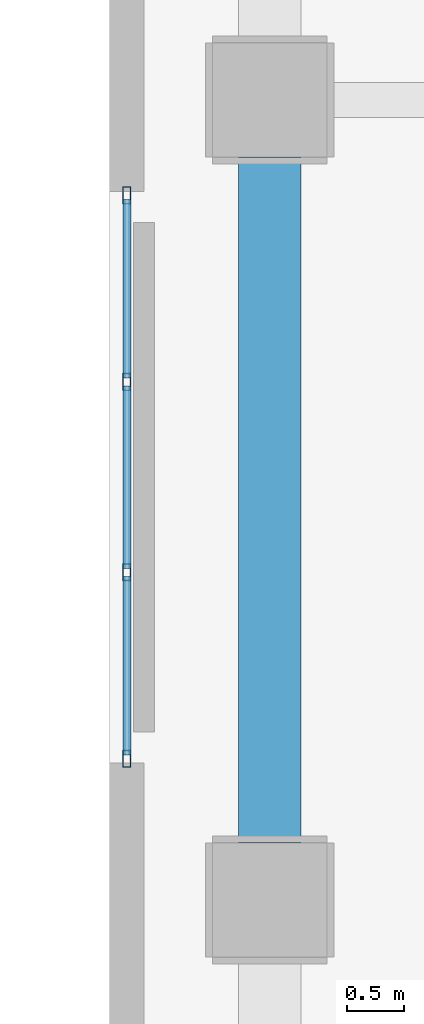
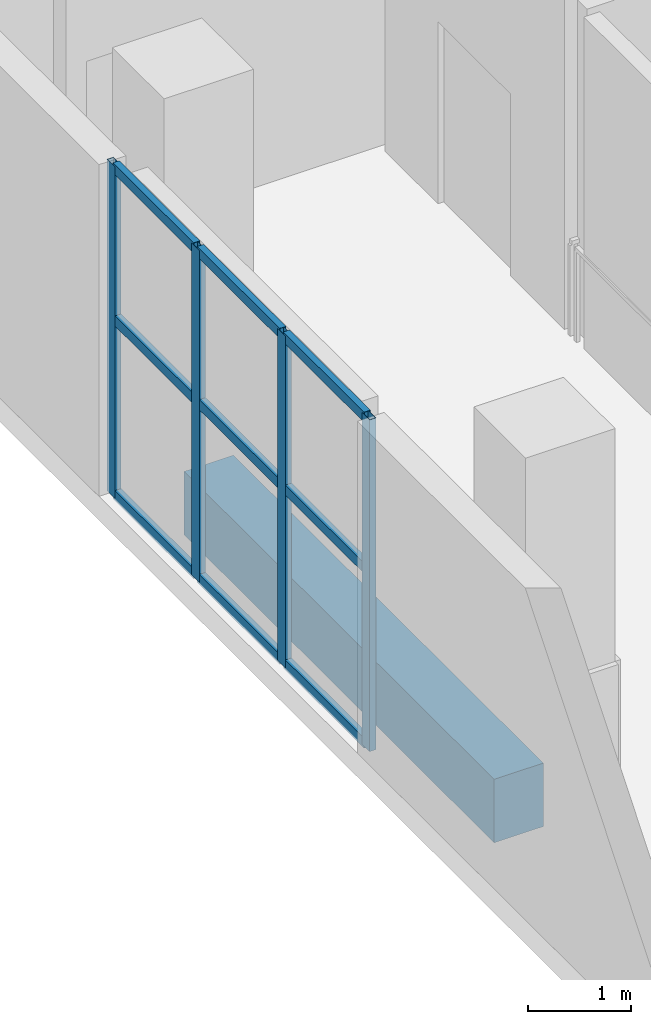
# One storey, part 8 of 24: 13 members, 1 beam, 1 element without a shape of its own.
"""IFC4 building model written with IfcOpenShell, lengths in metres."""

from ifc_helpers import new_model, si_unit, direction, frame, origin, origin_2d, place, context, subcontext, project, spatial, rectangle, hollow_rectangle, extrude, material, layer, layer_set, material_profile, profile_set, type_object, element, aggregate, save


model = new_model("IFC4")

# Units and contexts
model_context = context("Model", 3, precision=1e-05, world=origin(), true_north=direction((0.0, 1.0)))
body_context = subcontext(model_context, "Body", "Model", "MODEL_VIEW")
ifc_project = project(units=[si_unit("LENGTHUNIT", "METRE"), si_unit("AREAUNIT", "SQUARE_METRE"), si_unit("VOLUMEUNIT", "CUBIC_METRE"), si_unit("PLANEANGLEUNIT", "RADIAN"), si_unit("MASSUNIT", "GRAM", prefix="KILO")], contexts=[model_context])

# Site, building, storey
site_placement = place(None, origin())
site = spatial("IfcSite", under=ifc_project, at=site_placement, CompositionType="ELEMENT")
building_placement = place(site_placement, origin())
building = spatial("IfcBuilding", under=site, at=building_placement, Name="Solanera Arch Residences", CompositionType="ELEMENT")
storey_placement = place(building_placement, frame((0.0, 0.0, 5.199951171875)))
storey = spatial("IfcBuildingStorey", under=building, at=storey_placement, Name="L01", CompositionType="ELEMENT", Elevation=5.199951171875)

# Curtain wall, members
ifc_material_1 = material(Name="Anodised Aluminium Alloy 6063-T6", Category="aluminium")
ifc_layer = layer(ifc_material_1, 0.159912109375)
ifc_layer_set = layer_set([ifc_layer], Name="Anodised Aluminium Alloy 6063-T6")
curtain_wall_type = type_object("IfcCurtainWallType", Name="CW-3 Sports Hall Foyer Curtain Wall", PredefinedType="USERDEFINED", material=ifc_layer_set)
curtain_wall_placement = place(storey_placement, origin())
curtain_wall = element("IfcCurtainWall", 1, at=curtain_wall_placement, inside=storey, type_object=curtain_wall_type, Name="L01 Sports Hall Foyer Curtain Wall 2", ObjectType="CURTAIN_WALL", PredefinedType="USERDEFINED")
ifc_material_2 = material(Name="Anodised Aluminium Alloy 6063-T6", Category="aluminium")
ifc_material_profile_1 = material_profile(ifc_material_2, hollow_rectangle(XDim=0.070068359375, YDim=0.14990234375, WallThickness=0.00390625, at=origin_2d()))
ifc_profile_set_1 = profile_set([ifc_material_profile_1], Name="Anodised Aluminium Alloy 6063-T6")
member_type_1 = type_object("IfcMemberType", Name="Curtain Wall Mullion ALU-MUL-70X150", PredefinedType="MULLION", material=ifc_profile_set_1)
member_1_placement = place(storey_placement, frame((54.550048828125, 35.635009765625, 0.0), z_axis=(0.0, 0.0, 1.0), x_axis=(-1.0, 0.0, 0.0)))
member_1 = element("IfcMember", 2, at=member_1_placement, type_object=member_type_1, Name="CW-3 mullion 1", PredefinedType="MULLION", context=body_context, shape_type="SweptSolid", body=[
    extrude(hollow_rectangle(XDim=0.070068359375, YDim=0.14990234375, WallThickness=0.00390625, at=origin_2d()), origin(), (0.0, 0.0, 1.0), 3.920166015625),
])
member_2_placement = place(storey_placement, frame((54.550048828125, 37.2666015625, 0.0), z_axis=(0.0, 0.0, 1.0), x_axis=(-1.0, 0.0, 0.0)))
member_2 = element("IfcMember", 3, at=member_2_placement, type_object=member_type_1, Name="CW-3 mullion 2", PredefinedType="MULLION", context=body_context, shape_type="SweptSolid", body=[
    extrude(hollow_rectangle(XDim=0.070068359375, YDim=0.14990234375, WallThickness=0.00390625, at=origin_2d()), origin(), (0.0, 0.0, 1.0), 3.920166015625),
])
member_3_placement = place(storey_placement, frame((54.550048828125, 38.933349609375, 0.0), z_axis=(0.0, 0.0, 1.0), x_axis=(-1.0, 0.0, 0.0)))
member_3 = element("IfcMember", 4, at=member_3_placement, type_object=member_type_1, Name="CW-3 mullion 3", PredefinedType="MULLION", context=body_context, shape_type="SweptSolid", body=[
    extrude(hollow_rectangle(XDim=0.070068359375, YDim=0.14990234375, WallThickness=0.00390625, at=origin_2d()), origin(), (0.0, 0.0, 1.0), 3.920166015625),
])
member_4_placement = place(storey_placement, frame((54.550048828125, 40.56494140625, 0.0), z_axis=(0.0, 0.0, 1.0), x_axis=(-1.0, 0.0, 0.0)))
member_4 = element("IfcMember", 5, at=member_4_placement, type_object=member_type_1, Name="CW-3 mullion 4", PredefinedType="MULLION", context=body_context, shape_type="SweptSolid", body=[
    extrude(hollow_rectangle(XDim=0.070068359375, YDim=0.14990234375, WallThickness=0.00390625, at=origin_2d()), origin(), (0.0, 0.0, 1.0), 3.920166015625),
])
ifc_material_3 = material(Name="Anodised Aluminium Alloy 6063-T6", Category="aluminium")
ifc_material_profile_2 = material_profile(ifc_material_3, hollow_rectangle(XDim=0.070068359375, YDim=0.1201171875, WallThickness=0.00390625, at=origin_2d()))
ifc_profile_set_2 = profile_set([ifc_material_profile_2], Name="Anodised Aluminium Alloy 6063-T6")
member_type_2 = type_object("IfcMemberType", Name="Curtain Wall Transom ALU-TRN-70X120", PredefinedType="USERDEFINED", material=ifc_profile_set_2)
member_5_placement = place(storey_placement, frame((54.550048828125, 35.669921875, 0.03515625), z_axis=(0.0, 1.0, 0.0), x_axis=(-1.0, 0.0, 0.0)))
member_5 = element("IfcMember", 6, at=member_5_placement, type_object=member_type_2, Name="CW-3 transom 1.1", ObjectType="TRANSOM", PredefinedType="USERDEFINED", context=body_context, shape_type="SweptSolid", body=[
    extrude(hollow_rectangle(XDim=0.070068359375, YDim=0.1201171875, WallThickness=0.00390625, at=origin_2d()), origin(), (0.0, 0.0, 1.0), 1.561767578125),
])
member_6_placement = place(storey_placement, frame((54.550048828125, 35.669921875, 2.10009765625), z_axis=(0.0, 1.0, 0.0), x_axis=(-1.0, 0.0, 0.0)))
member_6 = element("IfcMember", 7, at=member_6_placement, type_object=member_type_2, Name="CW-3 transom 1.2", ObjectType="TRANSOM", PredefinedType="USERDEFINED", context=body_context, shape_type="SweptSolid", body=[
    extrude(hollow_rectangle(XDim=0.070068359375, YDim=0.1201171875, WallThickness=0.00390625, at=origin_2d()), origin(), (0.0, 0.0, 1.0), 1.561767578125),
])
member_7_placement = place(storey_placement, frame((54.550048828125, 35.669921875, 3.885009765625), z_axis=(0.0, 1.0, 0.0), x_axis=(-1.0, 0.0, 0.0)))
member_7 = element("IfcMember", 8, at=member_7_placement, type_object=member_type_2, Name="CW-3 transom 1.3", ObjectType="TRANSOM", PredefinedType="USERDEFINED", context=body_context, shape_type="SweptSolid", body=[
    extrude(hollow_rectangle(XDim=0.070068359375, YDim=0.1201171875, WallThickness=0.00390625, at=origin_2d()), origin(), (0.0, 0.0, 1.0), 1.561767578125),
])
member_8_placement = place(storey_placement, frame((54.550048828125, 37.3017578125, 0.03515625), z_axis=(0.0, 1.0, 0.0), x_axis=(-1.0, 0.0, 0.0)))
member_8 = element("IfcMember", 9, at=member_8_placement, type_object=member_type_2, Name="CW-3 transom 2.1", ObjectType="TRANSOM", PredefinedType="USERDEFINED", context=body_context, shape_type="SweptSolid", body=[
    extrude(hollow_rectangle(XDim=0.070068359375, YDim=0.1201171875, WallThickness=0.00390625, at=origin_2d()), origin(), (0.0, 0.0, 1.0), 1.5966796875),
])
member_9_placement = place(storey_placement, frame((54.550048828125, 37.3017578125, 2.10009765625), z_axis=(0.0, 1.0, 0.0), x_axis=(-1.0, 0.0, 0.0)))
member_9 = element("IfcMember", 10, at=member_9_placement, type_object=member_type_2, Name="CW-3 transom 2.2", ObjectType="TRANSOM", PredefinedType="USERDEFINED", context=body_context, shape_type="SweptSolid", body=[
    extrude(hollow_rectangle(XDim=0.070068359375, YDim=0.1201171875, WallThickness=0.00390625, at=origin_2d()), origin(), (0.0, 0.0, 1.0), 1.5966796875),
])
member_10_placement = place(storey_placement, frame((54.550048828125, 37.3017578125, 3.885009765625), z_axis=(0.0, 1.0, 0.0), x_axis=(-1.0, 0.0, 0.0)))
member_10 = element("IfcMember", 11, at=member_10_placement, type_object=member_type_2, Name="CW-3 transom 2.3", ObjectType="TRANSOM", PredefinedType="USERDEFINED", context=body_context, shape_type="SweptSolid", body=[
    extrude(hollow_rectangle(XDim=0.070068359375, YDim=0.1201171875, WallThickness=0.00390625, at=origin_2d()), origin(), (0.0, 0.0, 1.0), 1.5966796875),
])
member_11_placement = place(storey_placement, frame((54.550048828125, 38.96826171875, 0.03515625), z_axis=(0.0, 1.0, 0.0), x_axis=(-1.0, 0.0, 0.0)))
member_11 = element("IfcMember", 12, at=member_11_placement, type_object=member_type_2, Name="CW-3 transom 3.1", ObjectType="TRANSOM", PredefinedType="USERDEFINED", context=body_context, shape_type="SweptSolid", body=[
    extrude(hollow_rectangle(XDim=0.070068359375, YDim=0.1201171875, WallThickness=0.00390625, at=origin_2d()), origin(), (0.0, 0.0, 1.0), 1.561767578125),
])
member_12_placement = place(storey_placement, frame((54.550048828125, 38.96826171875, 2.10009765625), z_axis=(0.0, 1.0, 0.0), x_axis=(-1.0, 0.0, 0.0)))
member_12 = element("IfcMember", 13, at=member_12_placement, type_object=member_type_2, Name="CW-3 transom 3.2", ObjectType="TRANSOM", PredefinedType="USERDEFINED", context=body_context, shape_type="SweptSolid", body=[
    extrude(hollow_rectangle(XDim=0.070068359375, YDim=0.1201171875, WallThickness=0.00390625, at=origin_2d()), origin(), (0.0, 0.0, 1.0), 1.561767578125),
])
member_13_placement = place(storey_placement, frame((54.550048828125, 38.96826171875, 3.885009765625), z_axis=(0.0, 1.0, 0.0), x_axis=(-1.0, 0.0, 0.0)))
member_13 = element("IfcMember", 14, at=member_13_placement, type_object=member_type_2, Name="CW-3 transom 3.3", ObjectType="TRANSOM", PredefinedType="USERDEFINED", context=body_context, shape_type="SweptSolid", body=[
    extrude(hollow_rectangle(XDim=0.070068359375, YDim=0.1201171875, WallThickness=0.00390625, at=origin_2d()), origin(), (0.0, 0.0, 1.0), 1.561767578125),
])
aggregate(curtain_wall, [member_1, member_2, member_3, member_4, member_5, member_6, member_7, member_8, member_9, member_10, member_11, member_12, member_13])

# Beam
ifc_material_4 = material(Name="Concrete C40/50 (f'c = 45 MPa)", Category="concrete")
ifc_material_profile_3 = material_profile(ifc_material_4, rectangle(XDim=0.550048828125, YDim=0.75, at=origin_2d()))
ifc_profile_set_3 = profile_set([ifc_material_profile_3], Name="Concrete C40/50 (f'c = 45 MPa)")
beam_type = type_object("IfcBeamType", Name="Primary Beam RC-BM-550X750", PredefinedType="BEAM", material=ifc_profile_set_3)
beam_placement = place(storey_placement, frame((55.800048828125, 34.89990234375, -0.655029296875), z_axis=(0.0, 1.0, 0.0), x_axis=(-1.0, 0.0, 0.0)))
element("IfcBeam", 15, at=beam_placement, inside=storey, type_object=beam_type, Name="BM-L01-HW-4", PredefinedType="BEAM", context=body_context, shape_type="SweptSolid", body=[
    extrude(rectangle(XDim=0.550048828125, YDim=0.75, at=origin_2d()), origin(), (0.0, 0.0, 1.0), 6.0),
])

save(model, "model.ifc")
